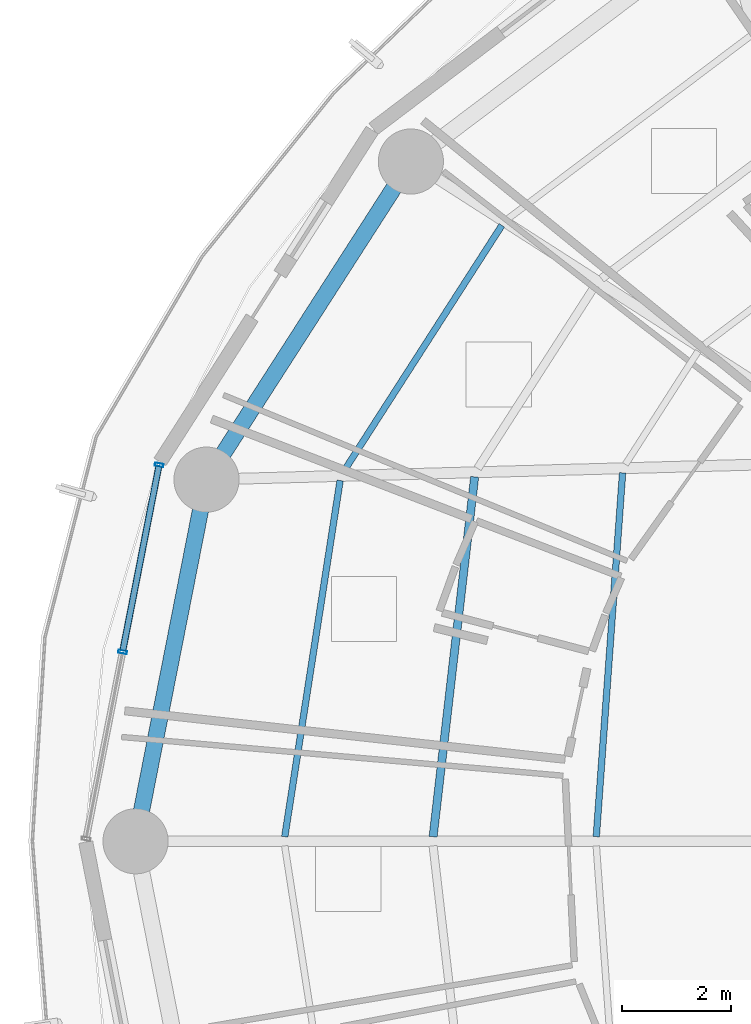
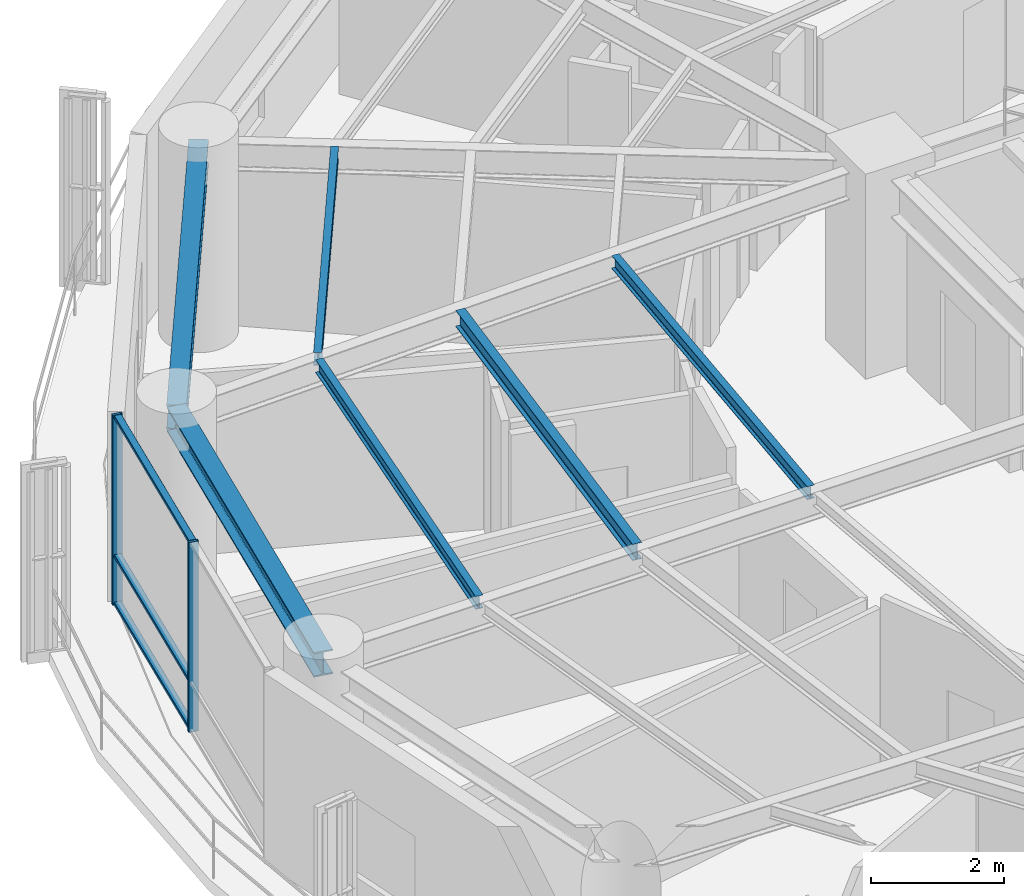
# One storey, part 8 of 28: 6 beams, 5 members, 1 element without a shape of its own.
"""IFC4 building model written with IfcOpenShell, lengths in metres."""

from ifc_helpers import new_model, si_unit, direction, frame, origin, origin_2d, place, context, subcontext, project, spatial, hollow_rectangle, i_section, extrude, material, layer, layer_set, material_profile, profile_set, type_object, element, aggregate, save


model = new_model("IFC4")

# Units and contexts
model_context = context("Model", 3, precision=1e-05, world=origin(), true_north=direction((0.0, 1.0)))
body_context = subcontext(model_context, "Body", "Model", "MODEL_VIEW")
ifc_project = project(units=[si_unit("LENGTHUNIT", "METRE"), si_unit("AREAUNIT", "SQUARE_METRE"), si_unit("VOLUMEUNIT", "CUBIC_METRE"), si_unit("PLANEANGLEUNIT", "RADIAN"), si_unit("MASSUNIT", "GRAM", prefix="KILO")], contexts=[model_context])

# Site, building, storey
site_placement = place(None, origin())
site = spatial("IfcSite", under=ifc_project, at=site_placement, CompositionType="ELEMENT")
building_placement = place(site_placement, origin())
building = spatial("IfcBuilding", under=site, at=building_placement, Name="Kelanora Arch Commons", CompositionType="ELEMENT")
storey_placement = place(building_placement, frame((0.0, 0.0, 161.85009765625)))
storey = spatial("IfcBuildingStorey", under=building, at=storey_placement, Name="L41", CompositionType="ELEMENT", Elevation=161.85009765625)

# Beams
ifc_material_1 = material(Name="Steel S355", Category="steel")
ifc_material_profile_1 = material_profile(ifc_material_1, i_section(OverallWidth=0.14990234375, OverallDepth=0.300048828125, WebThickness=0.007080078125, FlangeThickness=0.0107421875, FilletRadius=0.014892578125, at=origin_2d()), Name="IPE300")
ifc_profile_set_1 = profile_set([ifc_material_profile_1], Name="Steel S355")
beam_type_1 = type_object("IfcBeamType", Name="BM-JST-01", PredefinedType="JOIST", material=ifc_profile_set_1)
beam_1_placement = place(storey_placement, frame((58.56689453125, 64.713134765625, 3.33984375), z_axis=(-0.114667159005, -0.9934039675, 0.0), x_axis=(0.9934039675, -0.114667159005, 0.0)))
element("IfcBeam", 1, at=beam_1_placement, inside=storey, type_object=beam_type_1, Name="Secondary Chord Joist BJB-16 L41", PredefinedType="JOIST", context=body_context, shape_type="SweptSolid", body=[
    extrude(i_section(OverallWidth=0.14990234375, OverallDepth=0.300048828125, WebThickness=0.007080078125, FlangeThickness=0.0107421875, FilletRadius=0.014892578125, at=origin_2d()), origin(), (0.0, 0.0, 1.0), 6.672607421875),
])
ifc_material_profile_2 = material_profile(ifc_material_1, i_section(OverallWidth=0.1201171875, OverallDepth=0.239990234375, WebThickness=0.006103515625, FlangeThickness=0.009765625, FilletRadius=0.014892578125, at=origin_2d()), Name="IPE240")
ifc_profile_set_2 = profile_set([ifc_material_profile_2], Name="Steel S355")
beam_type_2 = type_object("IfcBeamType", Name="BM-JST-02", PredefinedType="JOIST", material=ifc_profile_set_2)
beam_2_placement = place(storey_placement, frame((59.06787109375, 69.345703125, 3.369873046875), z_axis=(-0.540581678156, -0.841291536414, 0.0), x_axis=(0.841291536414, -0.540581678156, 0.0)))
element("IfcBeam", 2, at=beam_2_placement, inside=storey, type_object=beam_type_2, Name="Secondary Chord Joist BJC-14 L41", PredefinedType="JOIST", context=body_context, shape_type="SweptSolid", body=[
    extrude(i_section(OverallWidth=0.1201171875, OverallDepth=0.239990234375, WebThickness=0.006103515625, FlangeThickness=0.009765625, FilletRadius=0.014892578125, at=origin_2d()), origin(), (0.0, 0.0, 1.0), 5.4013671875),
])
beam_3_placement = place(storey_placement, frame((61.292236328125, 64.787109375, 3.369873046875), z_axis=(-0.072117123738, -0.997396170267, 0.0), x_axis=(0.997396170267, -0.072117123738, 0.0)))
element("IfcBeam", 3, at=beam_3_placement, inside=storey, type_object=beam_type_2, Name="Secondary Chord Joist BJA-16 L41", PredefinedType="JOIST", context=body_context, shape_type="SweptSolid", body=[
    extrude(i_section(OverallWidth=0.1201171875, OverallDepth=0.239990234375, WebThickness=0.006103515625, FlangeThickness=0.009765625, FilletRadius=0.014892578125, at=origin_2d()), origin(), (0.0, 0.0, 1.0), 6.719970703125),
])
beam_4_placement = place(storey_placement, frame((56.0888671875, 64.64599609375, 3.369873046875), z_axis=(-0.153562625853, -0.988138917329, 0.0), x_axis=(0.988138917329, -0.153562625853, 0.0)))
element("IfcBeam", 4, at=beam_4_placement, inside=storey, type_object=beam_type_2, Name="Secondary Chord Joist BJC-16 L41", PredefinedType="JOIST", context=body_context, shape_type="SweptSolid", body=[
    extrude(i_section(OverallWidth=0.1201171875, OverallDepth=0.239990234375, WebThickness=0.006103515625, FlangeThickness=0.009765625, FilletRadius=0.014892578125, at=origin_2d()), origin(), (0.0, 0.0, 1.0), 6.640869140625),
])
ifc_material_profile_3 = material_profile(ifc_material_1, i_section(OverallWidth=0.300048828125, OverallDepth=0.449951171875, WebThickness=0.013916015625, FlangeThickness=0.02587890625, FilletRadius=0.027099609375, at=origin_2d()), Name="HEB450")
ifc_profile_set_3 = profile_set([ifc_material_profile_3], Name="Steel S355")
beam_type_3 = type_object("IfcBeamType", Name="BM-SPN-Z3", PredefinedType="SPANDREL", material=ifc_profile_set_3)
beam_5_placement = place(storey_placement, frame((57.39208984375, 70.521484375, 3.264892578125), z_axis=(-0.540576852469, -0.841294637196, 0.0), x_axis=(0.841294637196, -0.540576852469, 0.0)))
element("IfcBeam", 5, at=beam_5_placement, inside=storey, type_object=beam_type_3, Name="Perimeter Spandrel Beam BS-14 L41", PredefinedType="SPANDREL", context=body_context, shape_type="SweptSolid", body=[
    extrude(i_section(OverallWidth=0.300048828125, OverallDepth=0.449951171875, WebThickness=0.013916015625, FlangeThickness=0.02587890625, FilletRadius=0.027099609375, at=origin_2d()), origin(), (0.0, 0.0, 1.0), 6.964111328125),
])
beam_6_placement = place(storey_placement, frame((53.62744140625, 64.66259765625, 3.264892578125), z_axis=(-0.192553643556, -0.981286448675, 0.0), x_axis=(0.981286448675, -0.192553643556, 0.0)))
element("IfcBeam", 6, at=beam_6_placement, inside=storey, type_object=beam_type_3, Name="Perimeter Spandrel Beam BS-16 L41", PredefinedType="SPANDREL", context=body_context, shape_type="SweptSolid", body=[
    extrude(i_section(OverallWidth=0.300048828125, OverallDepth=0.449951171875, WebThickness=0.013916015625, FlangeThickness=0.02587890625, FilletRadius=0.027099609375, at=origin_2d()), origin(), (0.0, 0.0, 1.0), 6.78955078125),
])

# Curtain wall, members
ifc_material_2 = material(Name="Terracotta ceramic-fritted low-E glass and aluminium", Category="masonry")
ifc_layer = layer(ifc_material_2, 0.175048828125)
ifc_layer_set = layer_set([ifc_layer], Name="Terracotta ceramic-fritted low-E glass and aluminium")
curtain_wall_type = type_object("IfcCurtainWallType", Name="CW-SYS-02", PredefinedType="NOTDEFINED", material=ifc_layer_set)
curtain_wall_placement = place(storey_placement, origin())
curtain_wall = element("IfcCurtainWall", 7, at=curtain_wall_placement, inside=storey, type_object=curtain_wall_type, Name="Unitised Curtain Wall L41-B08", PredefinedType="NOTDEFINED")
ifc_material_3 = material(Name="Powder-coated aluminium terracotta", Category="masonry")
ifc_material_profile_4 = material_profile(ifc_material_3, hollow_rectangle(XDim=0.159912109375, YDim=0.06005859375, WallThickness=0.0048828125, InnerFilletRadius=0.0048828125, OuterFilletRadius=0.010009765625, at=origin_2d()), Name="CWM160x60")
ifc_profile_set_4 = profile_set([ifc_material_profile_4], Name="Powder-coated aluminium terracotta")
member_type_1 = type_object("IfcMemberType", Name="CWM-STD", PredefinedType="MULLION", material=ifc_profile_set_4)
member_1_placement = place(storey_placement, frame((52.754150390625, 64.93310546875, 0.0), z_axis=(0.0, 0.0, 1.0), x_axis=(0.981452557718, -0.191705182375, 0.0)))
member_1 = element("IfcMember", 8, at=member_1_placement, type_object=member_type_1, Name="CW-02 mullion 1", PredefinedType="MULLION", context=body_context, shape_type="SweptSolid", body=[
    extrude(hollow_rectangle(XDim=0.159912109375, YDim=0.06005859375, WallThickness=0.0048828125, InnerFilletRadius=0.0048828125, OuterFilletRadius=0.010009765625, at=origin_2d()), origin(), (0.0, 0.0, 1.0), 3.474853515625),
])
member_2_placement = place(storey_placement, frame((52.08154296875, 61.488525390625, 0.0), z_axis=(0.0, 0.0, 1.0), x_axis=(0.981452557718, -0.191705182375, 0.0)))
member_2 = element("IfcMember", 9, at=member_2_placement, type_object=member_type_1, Name="CW-02 mullion 2", PredefinedType="MULLION", context=body_context, shape_type="SweptSolid", body=[
    extrude(hollow_rectangle(XDim=0.159912109375, YDim=0.06005859375, WallThickness=0.0048828125, InnerFilletRadius=0.0048828125, OuterFilletRadius=0.010009765625, at=origin_2d()), origin(), (0.0, 0.0, 1.0), 3.474853515625),
])
ifc_material_profile_5 = material_profile(ifc_material_3, hollow_rectangle(XDim=0.1201171875, YDim=0.06005859375, WallThickness=0.0048828125, InnerFilletRadius=0.0048828125, OuterFilletRadius=0.010009765625, at=origin_2d()), Name="CWT120x60")
ifc_profile_set_5 = profile_set([ifc_material_profile_5], Name="Powder-coated aluminium terracotta")
member_type_2 = type_object("IfcMemberType", Name="CWT-STD", PredefinedType="USERDEFINED", material=ifc_profile_set_5)
member_3_placement = place(storey_placement, frame((52.74853515625, 64.903564453125, 0.02978515625), z_axis=(-0.191731523726, -0.981447412147, 0.0), x_axis=(0.981447412147, -0.191731523726, 0.0)))
member_3 = element("IfcMember", 10, at=member_3_placement, type_object=member_type_2, Name="CW-02 transom 1.1", ObjectType="TRANSOM", PredefinedType="USERDEFINED", context=body_context, shape_type="SweptSolid", body=[
    extrude(hollow_rectangle(XDim=0.1201171875, YDim=0.06005859375, WallThickness=0.0048828125, InnerFilletRadius=0.0048828125, OuterFilletRadius=0.010009765625, at=origin_2d()), origin(), (0.0, 0.0, 1.0), 3.449462890625),
])
member_4_placement = place(storey_placement, frame((52.74853515625, 64.903564453125, 0.89990234375), z_axis=(-0.191731523726, -0.981447412147, 0.0), x_axis=(0.981447412147, -0.191731523726, 0.0)))
member_4 = element("IfcMember", 11, at=member_4_placement, type_object=member_type_2, Name="CW-02 transom 1.2", ObjectType="TRANSOM", PredefinedType="USERDEFINED", context=body_context, shape_type="SweptSolid", body=[
    extrude(hollow_rectangle(XDim=0.1201171875, YDim=0.06005859375, WallThickness=0.0048828125, InnerFilletRadius=0.0048828125, OuterFilletRadius=0.010009765625, at=origin_2d()), origin(), (0.0, 0.0, 1.0), 3.449462890625),
])
member_5_placement = place(storey_placement, frame((52.74853515625, 64.903564453125, 3.44482421875), z_axis=(-0.191731523726, -0.981447412147, 0.0), x_axis=(0.981447412147, -0.191731523726, 0.0)))
member_5 = element("IfcMember", 12, at=member_5_placement, type_object=member_type_2, Name="CW-02 transom 1.3", ObjectType="TRANSOM", PredefinedType="USERDEFINED", context=body_context, shape_type="SweptSolid", body=[
    extrude(hollow_rectangle(XDim=0.1201171875, YDim=0.06005859375, WallThickness=0.0048828125, InnerFilletRadius=0.0048828125, OuterFilletRadius=0.010009765625, at=origin_2d()), origin(), (0.0, 0.0, 1.0), 3.449462890625),
])
aggregate(curtain_wall, [member_1, member_2, member_3, member_4, member_5])

save(model, "model.ifc")
